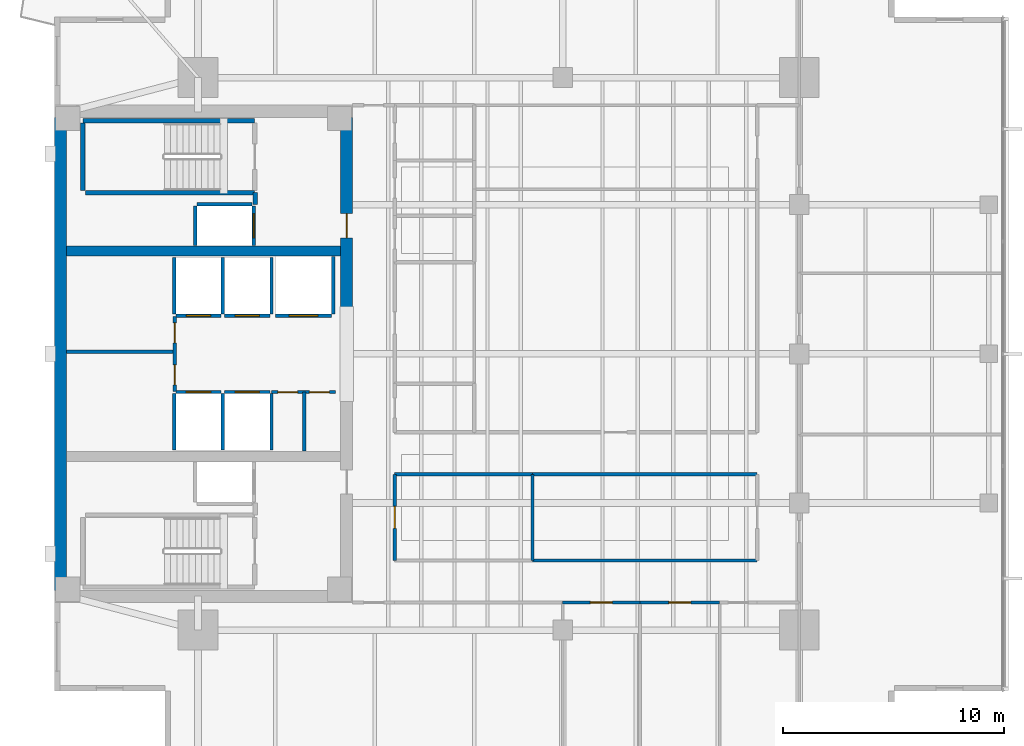
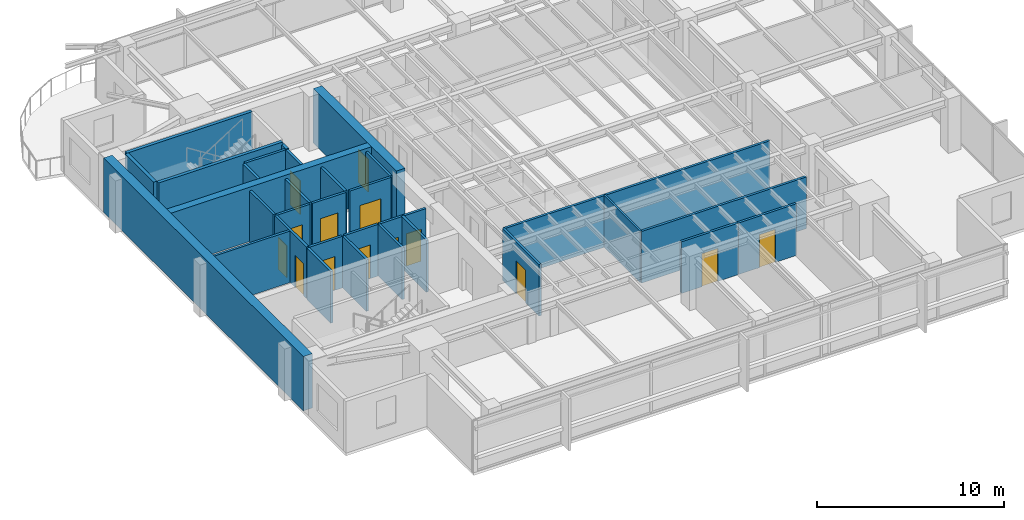
# One storey, part 8 of 14: 33 walls, 14 doors, 14 openings.
"""IFC4 building model written with IfcOpenShell, lengths in metres."""

from ifc_helpers import new_model, si_unit, direction, frame, frame_2d, origin, place, context, subcontext, project, spatial, rectangle, extrude, material, layer, layer_set, type_object, element, fill, save


model = new_model("IFC4")

# Units and contexts
model_context = context("Model", 3, precision=1e-05, world=origin(), true_north=direction((0.0, 1.0)))
body_context = subcontext(model_context, "Body", "Model", "MODEL_VIEW")
ifc_project = project(units=[si_unit("LENGTHUNIT", "METRE"), si_unit("AREAUNIT", "SQUARE_METRE"), si_unit("VOLUMEUNIT", "CUBIC_METRE"), si_unit("PLANEANGLEUNIT", "RADIAN"), si_unit("MASSUNIT", "GRAM", prefix="KILO")], contexts=[model_context])

# Site, building, storey
site_placement = place(None, origin())
site = spatial("IfcSite", under=ifc_project, at=site_placement, CompositionType="ELEMENT")
building_placement = place(site_placement, origin())
building = spatial("IfcBuilding", under=site, at=building_placement, Name="Kinhvarn Gate Tower", CompositionType="ELEMENT")
storey_placement = place(building_placement, frame((0.0, 0.0, 227.10009765625)))
storey = spatial("IfcBuildingStorey", under=building, at=storey_placement, Name="L60", CompositionType="ELEMENT", Elevation=227.10009765625)

# Wall
ifc_material_1 = material(Name="Concrete C50/60", Category="concrete")
ifc_layer_1 = layer(ifc_material_1, 0.449951171875)
ifc_layer_set_1 = layer_set([ifc_layer_1], Name="Concrete C50/60")
wall_type_1 = type_object("IfcWallType", Name="WL-CORE-450", PredefinedType="SHEAR", material=ifc_layer_set_1)
wall_1_placement = place(storey_placement, frame((5.050048828125, 29.89990234375, 0.0), z_axis=(0.0, 0.0, 1.0), x_axis=(1.0, 0.0, 0.0)))
element("IfcWall", 1, at=wall_1_placement, inside=storey, type_object=wall_type_1, Name="Core North Spine Shear Wall L60 450 mm", PredefinedType="SHEAR", context=body_context, shape_type="SweptSolid", body=[
    extrude(rectangle(XDim=12.39990234375, YDim=0.449951171875, at=frame_2d((6.199951171875, 0.0))), origin(), (0.0, 0.0, 1.0), 3.5498046875),
])

# Wall, opening, door
ifc_material_2 = material(Name="Concrete C60/75", Category="concrete")
ifc_layer_2 = layer(ifc_material_2, 0.550048828125)
ifc_layer_set_2 = layer_set([ifc_layer_2], Name="Concrete C60/75")
wall_type_2 = type_object("IfcWallType", Name="WL-CORE-550", PredefinedType="SHEAR", material=ifc_layer_set_2)
wall_2_placement = place(storey_placement, frame((17.72509765625, 27.050048828125, 0.0), z_axis=(0.0, 0.0, 1.0), x_axis=(0.0, 1.0, 0.0)))
wall_2 = element("IfcWall", 2, at=wall_2_placement, inside=storey, type_object=wall_type_2, Name="Core East-North Shear Pier L60 550 mm", PredefinedType="SHEAR", context=body_context, shape_type="SweptSolid", body=[
    extrude(rectangle(XDim=8.89990234375, YDim=0.550048828125, at=frame_2d((4.449951171875, 0.0))), origin(), (0.0, 0.0, 1.0), 3.5498046875),
])
opening_1_placement = place(wall_2_placement, frame((3.449951171875, 0.0, 0.0)))
opening_1 = element("IfcOpeningElement", 3, at=opening_1_placement, cuts=wall_2, Name="Opening FD-02", PredefinedType="OPENING", context=body_context, shape_type="SweptSolid", body=[
    extrude(rectangle(XDim=1.10009765625, YDim=2.14990234375, at=frame_2d((0.550048828125, 1.074951171875))), frame((0.0, 0.28515625, 0.0), z_axis=(0.0, -1.0, 0.0), x_axis=(1.0, 0.0, 0.0)), (0.0, 0.0, 1.0), 0.570068359375),
])
ifc_material_3 = material(Name="Anodised aluminium AW-6063", Category="aluminium")
door_type_1 = type_object("IfcDoorType", Name="DR-FD-1100", OperationType="NOTDEFINED", PredefinedType="DOOR", material=ifc_material_3)
door_1_placement = place(opening_1_placement, origin())
door_1 = element("IfcDoor", 4, at=door_1_placement, inside=storey, type_object=door_type_1, Name="Firefighting Lobby Core Door (L60)", OperationType="SINGLE_SWING_LEFT", OverallHeight=2.14990234375, OverallWidth=1.10009765625, PredefinedType="DOOR", context=body_context, shape_type="SweptSolid", body=[
    extrude(rectangle(XDim=1.10009765625, YDim=2.14990234375, at=frame_2d((0.550048828125, 1.074951171875))), frame((0.0, 0.02490234375, 0.0), z_axis=(0.0, -1.0, 0.0), x_axis=(1.0, 0.0, 0.0)), (0.0, 0.0, 1.0), 0.050048828125),
])
fill(opening_1, door_1)

# Walls
ifc_layer_3 = layer(ifc_material_2, 0.550048828125)
ifc_layer_set_3 = layer_set([ifc_layer_3], Name="Concrete C60/75")
wall_type_3 = type_object("IfcWallType", Name="WL-COREX-550", PredefinedType="SHEAR", material=ifc_layer_set_3)
wall_3_placement = place(storey_placement, frame((4.77490234375, 14.550048828125, 0.0), z_axis=(0.0, 0.0, 1.0), x_axis=(0.0, 1.0, 0.0)))
element("IfcWall", 5, at=wall_3_placement, inside=storey, type_object=wall_type_3, Name="Core West Shear Wall L60 550 mm", PredefinedType="SHEAR", context=body_context, shape_type="SweptSolid", body=[
    extrude(rectangle(XDim=21.39990234375, YDim=0.550048828125, at=frame_2d((10.699951171875, 0.0))), origin(), (0.0, 0.0, 1.0), 3.5498046875),
])
ifc_material_4 = material(Name="Gypsum acoustic partition board")
ifc_layer_4 = layer(ifc_material_4, 0.1201171875)
ifc_layer_set_4 = layer_set([ifc_layer_4], Name="Gypsum acoustic partition board")
wall_type_4 = type_object("IfcWallType", Name="WL-PRT-120", PredefinedType="PARTITIONING", material=ifc_layer_set_4)
wall_4_placement = place(storey_placement, frame((26.1298828125, 15.89990234375, 0.0), z_axis=(0.0, 0.0, 1.0), x_axis=(0.0, 1.0, 0.0)))
element("IfcWall", 6, at=wall_4_placement, inside=storey, type_object=wall_type_4, Name="Interior Partition PW-120 (L60)", PredefinedType="PARTITIONING", context=body_context, shape_type="SweptSolid", body=[
    extrude(rectangle(XDim=3.900146484375, YDim=0.1201171875, at=frame_2d((1.9501953125, 0.0))), origin(), (0.0, 0.0, 1.0), 3.369873046875),
])
ifc_layer_5 = layer(ifc_material_4, 0.14990234375)
ifc_layer_set_5 = layer_set([ifc_layer_5], Name="Gypsum acoustic partition board")
wall_type_5 = type_object("IfcWallType", Name="WL-PRT-150F", PredefinedType="PARTITIONING", material=ifc_layer_set_5)
wall_5_placement = place(storey_placement, frame((5.050048828125, 25.35009765625, 0.0), z_axis=(0.0, 0.0, 1.0), x_axis=(1.0, 0.0, 0.0)))
element("IfcWall", 7, at=wall_5_placement, inside=storey, type_object=wall_type_5, Name="Interior Partition PW-150F (L60)", PredefinedType="PARTITIONING", context=body_context, shape_type="SweptSolid", body=[
    extrude(rectangle(XDim=4.89990234375, YDim=0.14990234375, at=frame_2d((2.449951171875, 0.0))), origin(), (0.0, 0.0, 1.0), 3.369873046875),
])

# Wall, openings, doors
wall_6_placement = place(storey_placement, frame((9.949951171875, 23.550048828125, 0.0), z_axis=(0.0, 0.0, 1.0), x_axis=(0.0, 1.0, 0.0)))
wall_6 = element("IfcWall", 8, at=wall_6_placement, inside=storey, type_object=wall_type_5, Name="Interior Partition PW-150F (L60)", PredefinedType="PARTITIONING", context=body_context, shape_type="SweptSolid", body=[
    extrude(rectangle(XDim=3.39990234375, YDim=0.14990234375, at=frame_2d((1.699951171875, 0.0))), origin(), (0.0, 0.0, 1.0), 3.369873046875),
])
opening_2_placement = place(wall_6_placement, frame((0.298095703125, 0.0, 0.0)))
opening_2 = element("IfcOpeningElement", 9, at=opening_2_placement, cuts=wall_6, Name="Opening FD-04", PredefinedType="OPENING", context=body_context, shape_type="SweptSolid", body=[
    extrude(rectangle(XDim=0.89990234375, YDim=2.10009765625, at=frame_2d((0.449951171875, 1.050048828125))), frame((0.0, 0.0849609375, 0.0), z_axis=(0.0, -1.0, 0.0), x_axis=(1.0, 0.0, 0.0)), (0.0, 0.0, 1.0), 0.169921875),
])
opening_3_placement = place(wall_6_placement, frame((2.201904296875, 0.0, 0.0)))
opening_3 = element("IfcOpeningElement", 10, at=opening_3_placement, cuts=wall_6, Name="Opening FD-04", PredefinedType="OPENING", context=body_context, shape_type="SweptSolid", body=[
    extrude(rectangle(XDim=0.89990234375, YDim=2.10009765625, at=frame_2d((0.449951171875, 1.050048828125))), frame((0.0, 0.0849609375, 0.0), z_axis=(0.0, -1.0, 0.0), x_axis=(1.0, 0.0, 0.0)), (0.0, 0.0, 1.0), 0.169921875),
])
door_type_2 = type_object("IfcDoorType", Name="DR-FD-900", OperationType="NOTDEFINED", PredefinedType="DOOR", material=ifc_material_3)
door_2_placement = place(opening_2_placement, origin())
door_2 = element("IfcDoor", 11, at=door_2_placement, inside=storey, type_object=door_type_2, Name="Rated Riser & Service Closet Fire Door 900x2100 mm (L60)", OperationType="SINGLE_SWING_LEFT", OverallHeight=2.10009765625, OverallWidth=0.89990234375, PredefinedType="DOOR", context=body_context, shape_type="SweptSolid", body=[
    extrude(rectangle(XDim=0.89990234375, YDim=2.10009765625, at=frame_2d((0.449951171875, 1.050048828125))), frame((0.0, 0.02490234375, 0.0), z_axis=(0.0, -1.0, 0.0), x_axis=(1.0, 0.0, 0.0)), (0.0, 0.0, 1.0), 0.050048828125),
])
fill(opening_2, door_2)
door_3_placement = place(opening_3_placement, origin())
door_3 = element("IfcDoor", 12, at=door_3_placement, inside=storey, type_object=door_type_2, Name="Rated Riser & Service Closet Fire Door 900x2100 mm (L60)", OperationType="SINGLE_SWING_RIGHT", OverallHeight=2.10009765625, OverallWidth=0.89990234375, PredefinedType="DOOR", context=body_context, shape_type="SweptSolid", body=[
    extrude(rectangle(XDim=0.89990234375, YDim=2.10009765625, at=frame_2d((0.449951171875, 1.050048828125))), frame((0.0, 0.02490234375, 0.0), z_axis=(0.0, -1.0, 0.0), x_axis=(1.0, 0.0, 0.0)), (0.0, 0.0, 1.0), 0.050048828125),
])
fill(opening_3, door_3)

# Wall
wall_7_placement = place(storey_placement, frame((15.800048828125, 20.85009765625, 0.0), z_axis=(0.0, 0.0, 1.0), x_axis=(0.0, 1.0, 0.0)))
element("IfcWall", 13, at=wall_7_placement, inside=storey, type_object=wall_type_5, Name="Interior Partition PW-150F (L60)", PredefinedType="PARTITIONING", context=body_context, shape_type="SweptSolid", body=[
    extrude(rectangle(XDim=2.669921875, YDim=0.14990234375, at=frame_2d((1.3349609375, 0.0))), origin(), (0.0, 0.0, 1.0), 3.369873046875),
])

# Wall, openings, doors
wall_8_placement = place(storey_placement, frame((14.330078125, 23.52001953125, 0.0), z_axis=(0.0, 0.0, 1.0), x_axis=(1.0, 0.0, 0.0)))
wall_8 = element("IfcWall", 14, at=wall_8_placement, inside=storey, type_object=wall_type_5, Name="Interior Partition PW-150F (L60)", PredefinedType="PARTITIONING", context=body_context, shape_type="SweptSolid", body=[
    extrude(rectangle(XDim=2.889892578125, YDim=0.14990234375, at=frame_2d((1.44482421875, 0.0))), origin(), (0.0, 0.0, 1.0), 3.369873046875),
])
opening_4_placement = place(wall_8_placement, frame((0.280029296875, 0.0, 0.0)))
opening_4 = element("IfcOpeningElement", 15, at=opening_4_placement, cuts=wall_8, Name="Opening FD-04", PredefinedType="OPENING", context=body_context, shape_type="SweptSolid", body=[
    extrude(rectangle(XDim=0.89990234375, YDim=2.10009765625, at=frame_2d((0.449951171875, 1.050048828125))), frame((0.0, 0.0849609375, 0.0), z_axis=(0.0, -1.0, 0.0), x_axis=(1.0, 0.0, 0.0)), (0.0, 0.0, 1.0), 0.169921875),
])
opening_5_placement = place(wall_8_placement, frame((1.7099609375, 0.0, 0.0)))
opening_5 = element("IfcOpeningElement", 16, at=opening_5_placement, cuts=wall_8, Name="Opening FD-04", PredefinedType="OPENING", context=body_context, shape_type="SweptSolid", body=[
    extrude(rectangle(XDim=0.89990234375, YDim=2.10009765625, at=frame_2d((0.449951171875, 1.050048828125))), frame((0.0, 0.0849609375, 0.0), z_axis=(0.0, -1.0, 0.0), x_axis=(1.0, 0.0, 0.0)), (0.0, 0.0, 1.0), 0.169921875),
])
door_4_placement = place(opening_4_placement, origin())
door_4 = element("IfcDoor", 17, at=door_4_placement, inside=storey, type_object=door_type_2, Name="Rated Riser & Service Closet Fire Door 900x2100 mm (L60)", OperationType="SINGLE_SWING_LEFT", OverallHeight=2.10009765625, OverallWidth=0.89990234375, PredefinedType="DOOR", context=body_context, shape_type="SweptSolid", body=[
    extrude(rectangle(XDim=0.89990234375, YDim=2.10009765625, at=frame_2d((0.449951171875, 1.050048828125))), frame((0.0, 0.02490234375, 0.0), z_axis=(0.0, -1.0, 0.0), x_axis=(1.0, 0.0, 0.0)), (0.0, 0.0, 1.0), 0.050048828125),
])
fill(opening_4, door_4)
door_5_placement = place(opening_5_placement, origin())
door_5 = element("IfcDoor", 18, at=door_5_placement, inside=storey, type_object=door_type_2, Name="Rated Riser & Service Closet Fire Door 900x2100 mm (L60)", OperationType="SINGLE_SWING_RIGHT", OverallHeight=2.10009765625, OverallWidth=0.89990234375, PredefinedType="DOOR", context=body_context, shape_type="SweptSolid", body=[
    extrude(rectangle(XDim=0.89990234375, YDim=2.10009765625, at=frame_2d((0.449951171875, 1.050048828125))), frame((0.0, 0.02490234375, 0.0), z_axis=(0.0, -1.0, 0.0), x_axis=(1.0, 0.0, 0.0)), (0.0, 0.0, 1.0), 0.050048828125),
])
fill(opening_5, door_5)

# Wall, opening, door
wall_9_placement = place(storey_placement, frame((19.89990234375, 15.89990234375, 0.0), z_axis=(0.0, 0.0, 1.0), x_axis=(0.0, 1.0, 0.0)))
wall_9 = element("IfcWall", 19, at=wall_9_placement, inside=storey, type_object=wall_type_5, Name="Interior Partition PW-150F (L60)", PredefinedType="PARTITIONING", context=body_context, shape_type="SweptSolid", body=[
    extrude(rectangle(XDim=3.900146484375, YDim=0.14990234375, at=frame_2d((1.9501953125, 0.0))), origin(), (0.0, 0.0, 1.0), 3.369873046875),
])
opening_6_placement = place(wall_9_placement, frame((1.449951171875, 0.0, 0.0)))
opening_6 = element("IfcOpeningElement", 20, at=opening_6_placement, cuts=wall_9, Name="Opening ID-02", PredefinedType="OPENING", context=body_context, shape_type="SweptSolid", body=[
    extrude(rectangle(XDim=1.0, YDim=2.14990234375, at=frame_2d((0.5, 1.074951171875))), frame((0.0, 0.0849609375, 0.0), z_axis=(0.0, -1.0, 0.0), x_axis=(1.0, 0.0, 0.0)), (0.0, 0.0, 1.0), 0.169921875),
])
door_type_3 = type_object("IfcDoorType", Name="DR-INT-1000", OperationType="NOTDEFINED", PredefinedType="DOOR", material=ifc_material_3)
door_6_placement = place(opening_6_placement, origin())
door_6 = element("IfcDoor", 21, at=door_6_placement, inside=storey, type_object=door_type_3, Name="Standard Office & Meeting Room Door 1000x2150 mm (L60)", OperationType="SINGLE_SWING_LEFT", OverallHeight=2.14990234375, OverallWidth=1.0, PredefinedType="DOOR", context=body_context, shape_type="SweptSolid", body=[
    extrude(rectangle(XDim=1.0, YDim=2.14990234375, at=frame_2d((0.5, 1.074951171875))), frame((0.0, 0.02490234375, 0.0), z_axis=(0.0, -1.0, 0.0), x_axis=(1.0, 0.0, 0.0)), (0.0, 0.0, 1.0), 0.050048828125),
])
fill(opening_6, door_6)

# Walls
wall_10_placement = place(storey_placement, frame((19.89990234375, 19.800048828125, 0.0), z_axis=(0.0, 0.0, 1.0), x_axis=(1.0, 0.0, 0.0)))
element("IfcWall", 22, at=wall_10_placement, inside=storey, type_object=wall_type_5, Name="Interior Partition PW-150F (L60)", PredefinedType="PARTITIONING", context=body_context, shape_type="SweptSolid", body=[
    extrude(rectangle(XDim=6.22998046875, YDim=0.14990234375, at=frame_2d((3.114990234375, 0.0))), origin(), (0.0, 0.0, 1.0), 3.369873046875),
])
for number, where, z_axis, x_axis, name in (
    (23, (26.1298828125, 19.800048828125, 0.0), (0.0, 0.0, 1.0), (1.0, 0.0, 0.0), "Interior Partition PW-150F (L60)"),
    (24, (26.1298828125, 15.89990234375, 0.0), (0.0, 0.0, 1.0), (1.0, 0.0, 0.0), "Interior Partition PW-150F (L60)"),
):
    element("IfcWall", number, at=place(storey_placement, frame(where, z_axis=z_axis, x_axis=x_axis)), inside=storey, type_object=wall_type_5, Name=name, PredefinedType="PARTITIONING", context=body_context, shape_type="SweptSolid", body=[
        extrude(rectangle(XDim=10.170166015625, YDim=0.14990234375, at=frame_2d((5.0849609375, 0.0))), origin(), (0.0, 0.0, 1.0), 3.369873046875),
    ])

# Wall, opening, door
wall_11_placement = place(storey_placement, frame((27.5, 14.0, 0.0), z_axis=(0.0, 0.0, 1.0), x_axis=(1.0, 0.0, 0.0)))
wall_11 = element("IfcWall", 25, at=wall_11_placement, inside=storey, type_object=wall_type_5, Name="Interior Partition PW-150F (L60)", PredefinedType="PARTITIONING", context=body_context, shape_type="SweptSolid", body=[
    extrude(rectangle(XDim=3.5, YDim=0.14990234375, at=frame_2d((1.75, 0.0))), origin(), (0.0, 0.0, 1.0), 3.369873046875),
])
opening_7_placement = place(wall_11_placement, frame((1.25, 0.0, 0.0)))
opening_7 = element("IfcOpeningElement", 26, at=opening_7_placement, cuts=wall_11, Name="Opening ID-02", PredefinedType="OPENING", context=body_context, shape_type="SweptSolid", body=[
    extrude(rectangle(XDim=1.0, YDim=2.14990234375, at=frame_2d((0.5, 1.074951171875))), frame((0.0, 0.0849609375, 0.0), z_axis=(0.0, -1.0, 0.0), x_axis=(1.0, 0.0, 0.0)), (0.0, 0.0, 1.0), 0.169921875),
])
door_7_placement = place(opening_7_placement, origin())
door_7 = element("IfcDoor", 27, at=door_7_placement, inside=storey, type_object=door_type_3, Name="Standard Office & Meeting Room Door 1000x2150 mm (L60)", OperationType="SINGLE_SWING_LEFT", OverallHeight=2.14990234375, OverallWidth=1.0, PredefinedType="DOOR", context=body_context, shape_type="SweptSolid", body=[
    extrude(rectangle(XDim=1.0, YDim=2.14990234375, at=frame_2d((0.5, 1.074951171875))), frame((0.0, 0.02490234375, 0.0), z_axis=(0.0, -1.0, 0.0), x_axis=(1.0, 0.0, 0.0)), (0.0, 0.0, 1.0), 0.050048828125),
])
fill(opening_7, door_7)

wall_12_placement = place(storey_placement, frame((31.0, 14.0, 0.0), z_axis=(0.0, 0.0, 1.0), x_axis=(1.0, 0.0, 0.0)))
wall_12 = element("IfcWall", 28, at=wall_12_placement, inside=storey, type_object=wall_type_5, Name="Interior Partition PW-150F (L60)", PredefinedType="PARTITIONING", context=body_context, shape_type="SweptSolid", body=[
    extrude(rectangle(XDim=3.60009765625, YDim=0.14990234375, at=frame_2d((1.800048828125, 0.0))), origin(), (0.0, 0.0, 1.0), 3.369873046875),
])
opening_8_placement = place(wall_12_placement, frame((1.300048828125, 0.0, 0.0)))
opening_8 = element("IfcOpeningElement", 29, at=opening_8_placement, cuts=wall_12, Name="Opening ID-02", PredefinedType="OPENING", context=body_context, shape_type="SweptSolid", body=[
    extrude(rectangle(XDim=1.0, YDim=2.14990234375, at=frame_2d((0.5, 1.074951171875))), frame((0.0, 0.0849609375, 0.0), z_axis=(0.0, -1.0, 0.0), x_axis=(1.0, 0.0, 0.0)), (0.0, 0.0, 1.0), 0.169921875),
])
door_8_placement = place(opening_8_placement, origin())
door_8 = element("IfcDoor", 30, at=door_8_placement, inside=storey, type_object=door_type_3, Name="Standard Office & Meeting Room Door 1000x2150 mm (L60)", OperationType="SINGLE_SWING_RIGHT", OverallHeight=2.14990234375, OverallWidth=1.0, PredefinedType="DOOR", context=body_context, shape_type="SweptSolid", body=[
    extrude(rectangle(XDim=1.0, YDim=2.14990234375, at=frame_2d((0.5, 1.074951171875))), frame((0.0, 0.02490234375, 0.0), z_axis=(0.0, -1.0, 0.0), x_axis=(1.0, 0.0, 0.0)), (0.0, 0.0, 1.0), 0.050048828125),
])
fill(opening_8, door_8)

# Wall
ifc_layer_6 = layer(ifc_material_4, 0.199951171875)
ifc_layer_set_6 = layer_set([ifc_layer_6], Name="Gypsum acoustic partition board")
wall_type_6 = type_object("IfcWallType", Name="WL-PRT-200", PredefinedType="PARTITIONING", material=ifc_layer_set_6)
wall_13_placement = place(storey_placement, frame((13.580078125, 32.0, 0.0), z_axis=(0.0, 0.0, 1.0), x_axis=(0.0, 1.0, 0.0)))
element("IfcWall", 31, at=wall_13_placement, inside=storey, type_object=wall_type_6, Name="Interior Partition PW-200 (L60)", PredefinedType="PARTITIONING", context=body_context, shape_type="SweptSolid", body=[
    extrude(rectangle(XDim=0.5400390625, YDim=0.199951171875, at=frame_2d((0.27001953125, 0.0))), origin(), (0.0, 0.0, 1.0), 3.369873046875),
])

# Wall, opening, door
ifc_layer_7 = layer(ifc_material_4, 0.14990234375)
ifc_layer_set_7 = layer_set([ifc_layer_7], Name="Gypsum acoustic partition board")
wall_type_7 = type_object("IfcWallType", Name="WL-SHF-150", PredefinedType="PARTITIONING", material=ifc_layer_set_7)
wall_14_placement = place(storey_placement, frame((10.0, 23.52490234375, 0.0), z_axis=(0.0, 0.0, 1.0), x_axis=(1.0, 0.0, 0.0)))
wall_14 = element("IfcWall", 32, at=wall_14_placement, inside=storey, type_object=wall_type_7, Name="Elevator PH-09 Landing Wall (L60)", PredefinedType="PARTITIONING", context=body_context, shape_type="SweptSolid", body=[
    extrude(rectangle(XDim=2.050048828125, YDim=0.14990234375, at=frame_2d((1.02490234375, 0.0))), origin(), (0.0, 0.0, 1.0), 3.369873046875),
])
opening_9_placement = place(wall_14_placement, frame((0.47509765625, 0.0, 0.0)))
opening_9 = element("IfcOpeningElement", 33, at=opening_9_placement, cuts=wall_14, Name="Opening LD-01", PredefinedType="OPENING", context=body_context, shape_type="SweptSolid", body=[
    extrude(rectangle(XDim=1.10009765625, YDim=2.199951171875, at=frame_2d((0.550048828125, 1.10009765625))), frame((0.0, 0.0849609375, 0.0), z_axis=(0.0, -1.0, 0.0), x_axis=(1.0, 0.0, 0.0)), (0.0, 0.0, 1.0), 0.169921875),
])
door_type_4 = type_object("IfcDoorType", Name="DR-LND-PAS", OperationType="NOTDEFINED", PredefinedType="DOOR", material=ifc_material_3)
door_9_placement = place(opening_9_placement, origin())
door_9 = element("IfcDoor", 34, at=door_9_placement, inside=storey, type_object=door_type_4, Name="Elevator PH-09 Sliding Landing Door (L60)", OperationType="DOUBLE_DOOR_SLIDING", OverallHeight=2.199951171875, OverallWidth=1.10009765625, PredefinedType="DOOR", context=body_context, shape_type="SweptSolid", body=[
    extrude(rectangle(XDim=1.10009765625, YDim=2.199951171875, at=frame_2d((0.550048828125, 1.10009765625))), frame((0.0, 0.02490234375, 0.0), z_axis=(0.0, -1.0, 0.0), x_axis=(1.0, 0.0, 0.0)), (0.0, 0.0, 1.0), 0.050048828125),
])
fill(opening_9, door_9)

# Walls
for number, where, z_axis, x_axis, name in (
    (35, (9.925048828125, 20.89990234375, 0.0), (0.0, 0.0, 1.0), (0.0, 1.0, 0.0), "Elevator PH-09 Hoistway Wall W (L60)"),
    (36, (12.125, 20.89990234375, 0.0), (0.0, 0.0, 1.0), (0.0, 1.0, 0.0), "Elevator PH-09 Hoistway Wall E (L60)"),
):
    element("IfcWall", number, at=place(storey_placement, frame(where, z_axis=z_axis, x_axis=x_axis)), inside=storey, type_object=wall_type_7, Name=name, PredefinedType="PARTITIONING", context=body_context, shape_type="SweptSolid", body=[
        extrude(rectangle(XDim=2.550048828125, YDim=0.14990234375, at=frame_2d((1.27490234375, 0.0))), origin(), (0.0, 0.0, 1.0), 3.369873046875),
    ])

# Wall, opening, door
wall_15_placement = place(storey_placement, frame((12.199951171875, 23.52490234375, 0.0), z_axis=(0.0, 0.0, 1.0), x_axis=(1.0, 0.0, 0.0)))
wall_15 = element("IfcWall", 37, at=wall_15_placement, inside=storey, type_object=wall_type_7, Name="Elevator PH-10 Landing Wall (L60)", PredefinedType="PARTITIONING", context=body_context, shape_type="SweptSolid", body=[
    extrude(rectangle(XDim=2.050048828125, YDim=0.14990234375, at=frame_2d((1.02490234375, 0.0))), origin(), (0.0, 0.0, 1.0), 3.369873046875),
])
opening_10_placement = place(wall_15_placement, frame((0.47509765625, 0.0, 0.0)))
opening_10 = element("IfcOpeningElement", 38, at=opening_10_placement, cuts=wall_15, Name="Opening LD-01", PredefinedType="OPENING", context=body_context, shape_type="SweptSolid", body=[
    extrude(rectangle(XDim=1.10009765625, YDim=2.199951171875, at=frame_2d((0.550048828125, 1.10009765625))), frame((0.0, 0.0849609375, 0.0), z_axis=(0.0, -1.0, 0.0), x_axis=(1.0, 0.0, 0.0)), (0.0, 0.0, 1.0), 0.169921875),
])
door_10_placement = place(opening_10_placement, origin())
door_10 = element("IfcDoor", 39, at=door_10_placement, inside=storey, type_object=door_type_4, Name="Elevator PH-10 Sliding Landing Door (L60)", OperationType="DOUBLE_DOOR_SLIDING", OverallHeight=2.199951171875, OverallWidth=1.10009765625, PredefinedType="DOOR", context=body_context, shape_type="SweptSolid", body=[
    extrude(rectangle(XDim=1.10009765625, YDim=2.199951171875, at=frame_2d((0.550048828125, 1.10009765625))), frame((0.0, 0.02490234375, 0.0), z_axis=(0.0, -1.0, 0.0), x_axis=(1.0, 0.0, 0.0)), (0.0, 0.0, 1.0), 0.050048828125),
])
fill(opening_10, door_10)

# Wall
wall_16_placement = place(storey_placement, frame((14.324951171875, 20.89990234375, 0.0), z_axis=(0.0, 0.0, 1.0), x_axis=(0.0, 1.0, 0.0)))
element("IfcWall", 40, at=wall_16_placement, inside=storey, type_object=wall_type_7, Name="Elevator PH-10 Hoistway Wall E (L60)", PredefinedType="PARTITIONING", context=body_context, shape_type="SweptSolid", body=[
    extrude(rectangle(XDim=2.550048828125, YDim=0.14990234375, at=frame_2d((1.27490234375, 0.0))), origin(), (0.0, 0.0, 1.0), 3.369873046875),
])

# Wall, opening, door
wall_17_placement = place(storey_placement, frame((10.0, 26.97509765625, 0.0), z_axis=(0.0, 0.0, 1.0), x_axis=(1.0, 0.0, 0.0)))
wall_17 = element("IfcWall", 41, at=wall_17_placement, inside=storey, type_object=wall_type_7, Name="Elevator PH-11 Landing Wall (L60)", PredefinedType="PARTITIONING", context=body_context, shape_type="SweptSolid", body=[
    extrude(rectangle(XDim=2.050048828125, YDim=0.14990234375, at=frame_2d((1.02490234375, 0.0))), origin(), (0.0, 0.0, 1.0), 3.369873046875),
])
opening_11_placement = place(wall_17_placement, frame((0.47509765625, 0.0, 0.0)))
opening_11 = element("IfcOpeningElement", 42, at=opening_11_placement, cuts=wall_17, Name="Opening LD-01", PredefinedType="OPENING", context=body_context, shape_type="SweptSolid", body=[
    extrude(rectangle(XDim=1.10009765625, YDim=2.199951171875, at=frame_2d((0.550048828125, 1.10009765625))), frame((0.0, 0.0849609375, 0.0), z_axis=(0.0, -1.0, 0.0), x_axis=(1.0, 0.0, 0.0)), (0.0, 0.0, 1.0), 0.169921875),
])
door_11_placement = place(opening_11_placement, origin())
door_11 = element("IfcDoor", 43, at=door_11_placement, inside=storey, type_object=door_type_4, Name="Elevator PH-11 Sliding Landing Door (L60)", OperationType="DOUBLE_DOOR_SLIDING", OverallHeight=2.199951171875, OverallWidth=1.10009765625, PredefinedType="DOOR", context=body_context, shape_type="SweptSolid", body=[
    extrude(rectangle(XDim=1.10009765625, YDim=2.199951171875, at=frame_2d((0.550048828125, 1.10009765625))), frame((0.0, 0.02490234375, 0.0), z_axis=(0.0, -1.0, 0.0), x_axis=(1.0, 0.0, 0.0)), (0.0, 0.0, 1.0), 0.050048828125),
])
fill(opening_11, door_11)

# Walls
for number, where, z_axis, x_axis, name in (
    (44, (9.925048828125, 27.050048828125, 0.0), (0.0, 0.0, 1.0), (0.0, 1.0, 0.0), "Elevator PH-11 Hoistway Wall W (L60)"),
    (45, (12.125, 27.050048828125, 0.0), (0.0, 0.0, 1.0), (0.0, 1.0, 0.0), "Elevator PH-11 Hoistway Wall E (L60)"),
):
    element("IfcWall", number, at=place(storey_placement, frame(where, z_axis=z_axis, x_axis=x_axis)), inside=storey, type_object=wall_type_7, Name=name, PredefinedType="PARTITIONING", context=body_context, shape_type="SweptSolid", body=[
        extrude(rectangle(XDim=2.550048828125, YDim=0.14990234375, at=frame_2d((1.27490234375, 0.0))), origin(), (0.0, 0.0, 1.0), 3.369873046875),
    ])

# Wall, opening, door
wall_18_placement = place(storey_placement, frame((12.199951171875, 26.97509765625, 0.0), z_axis=(0.0, 0.0, 1.0), x_axis=(1.0, 0.0, 0.0)))
wall_18 = element("IfcWall", 46, at=wall_18_placement, inside=storey, type_object=wall_type_7, Name="Elevator PH-12 Landing Wall (L60)", PredefinedType="PARTITIONING", context=body_context, shape_type="SweptSolid", body=[
    extrude(rectangle(XDim=2.050048828125, YDim=0.14990234375, at=frame_2d((1.02490234375, 0.0))), origin(), (0.0, 0.0, 1.0), 3.369873046875),
])
opening_12_placement = place(wall_18_placement, frame((0.47509765625, 0.0, 0.0)))
opening_12 = element("IfcOpeningElement", 47, at=opening_12_placement, cuts=wall_18, Name="Opening LD-01", PredefinedType="OPENING", context=body_context, shape_type="SweptSolid", body=[
    extrude(rectangle(XDim=1.10009765625, YDim=2.199951171875, at=frame_2d((0.550048828125, 1.10009765625))), frame((0.0, 0.0849609375, 0.0), z_axis=(0.0, -1.0, 0.0), x_axis=(1.0, 0.0, 0.0)), (0.0, 0.0, 1.0), 0.169921875),
])
door_12_placement = place(opening_12_placement, origin())
door_12 = element("IfcDoor", 48, at=door_12_placement, inside=storey, type_object=door_type_4, Name="Elevator PH-12 Sliding Landing Door (L60)", OperationType="DOUBLE_DOOR_SLIDING", OverallHeight=2.199951171875, OverallWidth=1.10009765625, PredefinedType="DOOR", context=body_context, shape_type="SweptSolid", body=[
    extrude(rectangle(XDim=1.10009765625, YDim=2.199951171875, at=frame_2d((0.550048828125, 1.10009765625))), frame((0.0, 0.02490234375, 0.0), z_axis=(0.0, -1.0, 0.0), x_axis=(1.0, 0.0, 0.0)), (0.0, 0.0, 1.0), 0.050048828125),
])
fill(opening_12, door_12)

# Wall
wall_19_placement = place(storey_placement, frame((14.324951171875, 27.050048828125, 0.0), z_axis=(0.0, 0.0, 1.0), x_axis=(0.0, 1.0, 0.0)))
element("IfcWall", 49, at=wall_19_placement, inside=storey, type_object=wall_type_7, Name="Elevator PH-12 Hoistway Wall E (L60)", PredefinedType="PARTITIONING", context=body_context, shape_type="SweptSolid", body=[
    extrude(rectangle(XDim=2.550048828125, YDim=0.14990234375, at=frame_2d((1.27490234375, 0.0))), origin(), (0.0, 0.0, 1.0), 3.369873046875),
])

# Wall, opening, door
wall_20_placement = place(storey_placement, frame((14.5, 26.97509765625, 0.0), z_axis=(0.0, 0.0, 1.0), x_axis=(1.0, 0.0, 0.0)))
wall_20 = element("IfcWall", 50, at=wall_20_placement, inside=storey, type_object=wall_type_7, Name="Elevator SV-01 Landing Wall (L60)", PredefinedType="PARTITIONING", context=body_context, shape_type="SweptSolid", body=[
    extrude(rectangle(XDim=2.550048828125, YDim=0.14990234375, at=frame_2d((1.27490234375, 0.0))), origin(), (0.0, 0.0, 1.0), 3.369873046875),
])
opening_13_placement = place(wall_20_placement, frame((0.625, 0.0, 0.0)))
opening_13 = element("IfcOpeningElement", 51, at=opening_13_placement, cuts=wall_20, Name="Opening LD-02", PredefinedType="OPENING", context=body_context, shape_type="SweptSolid", body=[
    extrude(rectangle(XDim=1.300048828125, YDim=2.199951171875, at=frame_2d((0.64990234375, 1.10009765625))), frame((0.0, 0.0849609375, 0.0), z_axis=(0.0, -1.0, 0.0), x_axis=(1.0, 0.0, 0.0)), (0.0, 0.0, 1.0), 0.169921875),
])
door_type_5 = type_object("IfcDoorType", Name="DR-LND-SRV", OperationType="NOTDEFINED", PredefinedType="DOOR", material=ifc_material_3)
door_13_placement = place(opening_13_placement, origin())
door_13 = element("IfcDoor", 52, at=door_13_placement, inside=storey, type_object=door_type_5, Name="Elevator SV-01 Sliding Landing Door (L60)", OperationType="DOUBLE_DOOR_SLIDING", OverallHeight=2.199951171875, OverallWidth=1.300048828125, PredefinedType="DOOR", context=body_context, shape_type="SweptSolid", body=[
    extrude(rectangle(XDim=1.300048828125, YDim=2.199951171875, at=frame_2d((0.64990234375, 1.10009765625))), frame((0.0, 0.02490234375, 0.0), z_axis=(0.0, -1.0, 0.0), x_axis=(1.0, 0.0, 0.0)), (0.0, 0.0, 1.0), 0.050048828125),
])
fill(opening_13, door_13)

# Walls
wall_21_placement = place(storey_placement, frame((17.125, 27.050048828125, 0.0), z_axis=(0.0, 0.0, 1.0), x_axis=(0.0, 1.0, 0.0)))
element("IfcWall", 53, at=wall_21_placement, inside=storey, type_object=wall_type_7, Name="Elevator SV-01 Hoistway Wall E (L60)", PredefinedType="PARTITIONING", context=body_context, shape_type="SweptSolid", body=[
    extrude(rectangle(XDim=2.599853515625, YDim=0.14990234375, at=frame_2d((1.2998046875, 0.0))), origin(), (0.0, 0.0, 1.0), 3.369873046875),
])
wall_22_placement = place(storey_placement, frame((10.949951171875, 32.02490234375, 0.0), z_axis=(0.0, 0.0, 1.0), x_axis=(1.0, 0.0, 0.0)))
element("IfcWall", 54, at=wall_22_placement, inside=storey, type_object=wall_type_7, Name="Elevator FF2 Hoistway Wall N (L60)", PredefinedType="PARTITIONING", context=body_context, shape_type="SweptSolid", body=[
    extrude(rectangle(XDim=2.5, YDim=0.14990234375, at=frame_2d((1.25, 0.0))), origin(), (0.0, 0.0, 1.0), 3.369873046875),
])
wall_23_placement = place(storey_placement, frame((10.875, 30.14990234375, 0.0), z_axis=(0.0, 0.0, 1.0), x_axis=(0.0, 1.0, 0.0)))
element("IfcWall", 55, at=wall_23_placement, inside=storey, type_object=wall_type_7, Name="Elevator FF2 Hoistway Wall W (L60)", PredefinedType="PARTITIONING", context=body_context, shape_type="SweptSolid", body=[
    extrude(rectangle(XDim=1.800048828125, YDim=0.14990234375, at=frame_2d((0.89990234375, 0.0))), origin(), (0.0, 0.0, 1.0), 3.369873046875),
])

# Wall, opening, door
wall_24_placement = place(storey_placement, frame((13.52490234375, 30.14990234375, 0.0), z_axis=(0.0, 0.0, 1.0), x_axis=(0.0, 1.0, 0.0)))
wall_24 = element("IfcWall", 56, at=wall_24_placement, inside=storey, type_object=wall_type_7, Name="Elevator FF2 Landing Wall (L60)", PredefinedType="PARTITIONING", context=body_context, shape_type="SweptSolid", body=[
    extrude(rectangle(XDim=1.800048828125, YDim=0.14990234375, at=frame_2d((0.89990234375, 0.0))), origin(), (0.0, 0.0, 1.0), 3.369873046875),
])
opening_14_placement = place(wall_24_placement, frame((0.35009765625, 0.0, 0.0)))
opening_14 = element("IfcOpeningElement", 57, at=opening_14_placement, cuts=wall_24, Name="Opening LD-03", PredefinedType="OPENING", context=body_context, shape_type="SweptSolid", body=[
    extrude(rectangle(XDim=1.10009765625, YDim=2.199951171875, at=frame_2d((0.550048828125, 1.10009765625))), frame((0.0, 0.0849609375, 0.0), z_axis=(0.0, -1.0, 0.0), x_axis=(1.0, 0.0, 0.0)), (0.0, 0.0, 1.0), 0.169921875),
])
door_type_6 = type_object("IfcDoorType", Name="DR-LND-FF", OperationType="NOTDEFINED", PredefinedType="DOOR", material=ifc_material_3)
door_14_placement = place(opening_14_placement, origin())
door_14 = element("IfcDoor", 58, at=door_14_placement, inside=storey, type_object=door_type_6, Name="Elevator FF2 Sliding Landing Door (L60)", OperationType="DOUBLE_DOOR_SLIDING", OverallHeight=2.199951171875, OverallWidth=1.10009765625, PredefinedType="DOOR", context=body_context, shape_type="SweptSolid", body=[
    extrude(rectangle(XDim=1.10009765625, YDim=2.199951171875, at=frame_2d((0.550048828125, 1.10009765625))), frame((0.0, 0.02490234375, 0.0), z_axis=(0.0, -1.0, 0.0), x_axis=(1.0, 0.0, 0.0)), (0.0, 0.0, 1.0), 0.050048828125),
])
fill(opening_14, door_14)

# Walls
ifc_material_5 = material(Name="Concrete C40/50", Category="concrete")
ifc_layer_8 = layer(ifc_material_5, 0.199951171875)
ifc_layer_set_8 = layer_set([ifc_layer_8], Name="Concrete C40/50")
wall_type_8 = type_object("IfcWallType", Name="WL-SHF-200", PredefinedType="SOLIDWALL", material=ifc_layer_set_8)
wall_25_placement = place(storey_placement, frame((5.800048828125, 35.800048828125, 0.0), z_axis=(0.0, 0.0, 1.0), x_axis=(1.0, 0.0, 0.0)))
element("IfcWall", 59, at=wall_25_placement, inside=storey, type_object=wall_type_8, Name="Stair ST2 North Shaft Wall (L60)", PredefinedType="SOLIDWALL", context=body_context, shape_type="SweptSolid", body=[
    extrude(rectangle(XDim=7.75, YDim=0.199951171875, at=frame_2d((3.875, 0.0))), origin(), (0.0, 0.0, 1.0), 3.5498046875),
])
wall_26_placement = place(storey_placement, frame((5.7900390625, 32.64990234375, 0.0), z_axis=(0.0, 0.0, 1.0), x_axis=(0.0, 1.0, 0.0)))
element("IfcWall", 60, at=wall_26_placement, inside=storey, type_object=wall_type_8, Name="Stair ST2 West Shaft Wall (L60)", PredefinedType="SOLIDWALL", context=body_context, shape_type="SweptSolid", body=[
    extrude(rectangle(XDim=3.050048828125, YDim=0.199951171875, at=frame_2d((1.52490234375, 0.0))), origin(), (0.0, 0.0, 1.0), 3.5498046875),
])
wall_27_placement = place(storey_placement, frame((5.89990234375, 32.5400390625, 0.0), z_axis=(0.0, 0.0, 1.0), x_axis=(1.0, 0.0, 0.0)))
element("IfcWall", 61, at=wall_27_placement, inside=storey, type_object=wall_type_8, Name="Stair ST2 South Shaft Wall (L60)", PredefinedType="SOLIDWALL", context=body_context, shape_type="SweptSolid", body=[
    extrude(rectangle(XDim=7.66015625, YDim=0.199951171875, at=frame_2d((3.830078125, 0.0))), origin(), (0.0, 0.0, 1.0), 3.5498046875),
])

save(model, "model.ifc")
